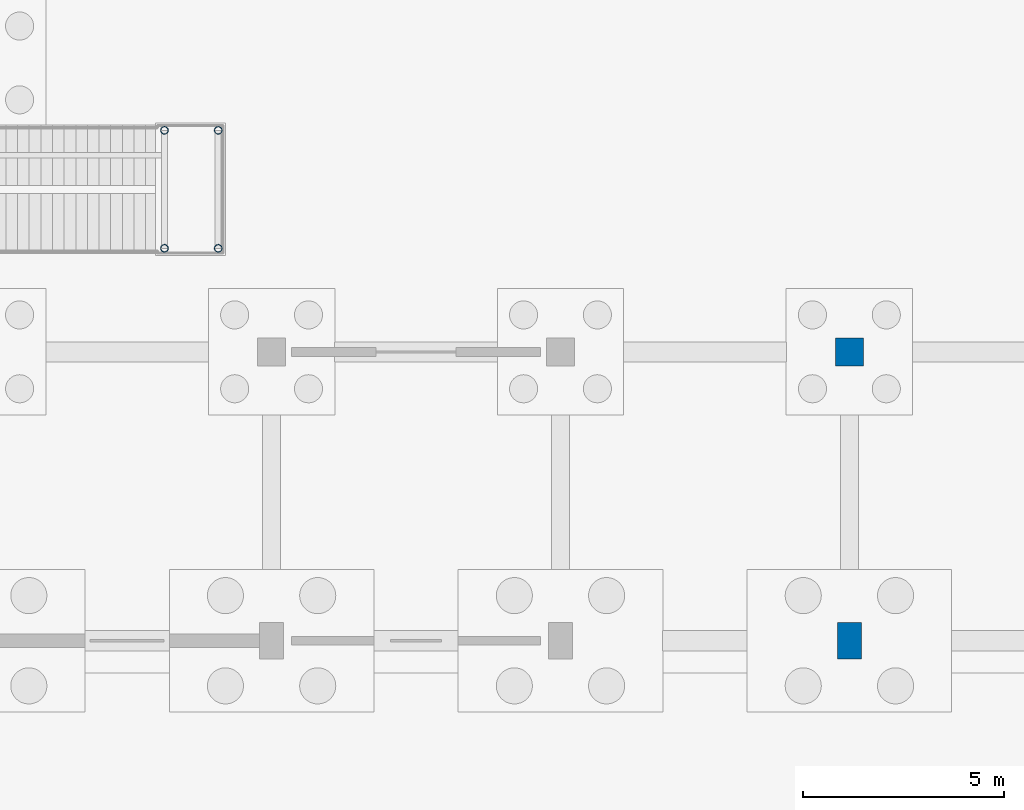
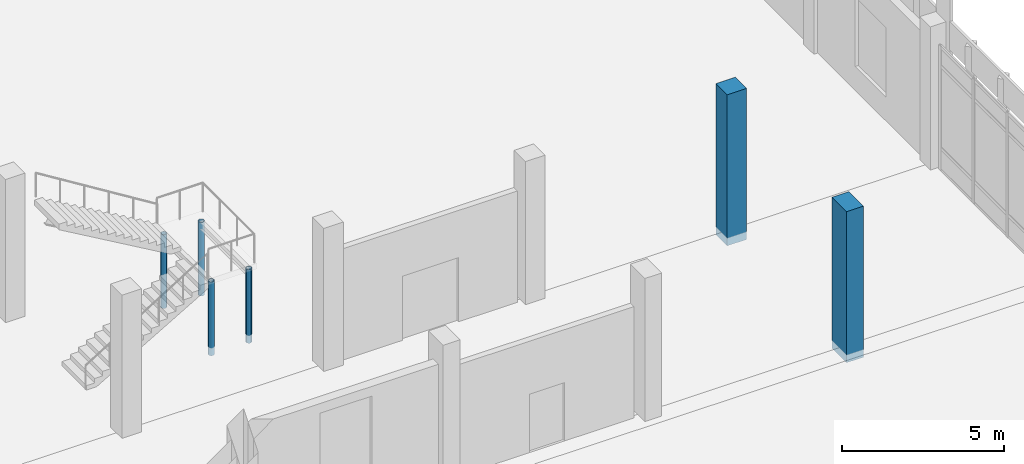
# One storey, part 24 of 109: 6 columns.
"""IFC4 building model written with IfcOpenShell, lengths in metres."""

import ifcopenshell
import ifcopenshell.guid

model = None  # the IFC model being written
_history = None  # IfcOwnerHistory: only IFC2X3 demands one
_inside = {}  # id of a spatial element -> (the spatial element, [elements in it])
_under = {}  # id of a project, library or spatial element -> (it, [spatial elements below it])
_declared = {}  # id of a project -> (the project, [libraries it declares])
_typed = {}  # id of a type object -> (the type object, [elements of that type])
_made_of = {}  # id of a material, layer set ... -> (it, [elements and type objects made of it])


def new_model(schema):
    """Start an empty IFC model of exactly this schema.

    Asked for "IFC4X3", IfcOpenShell would pick the latest addendum, in which some entities
    have other attributes; the version numbers below select the first issue.
    IFC2X3 requires an IfcOwnerHistory on every rooted entity: one is made here for all.
    """
    global model, _history
    if schema == "IFC4X3":
        model = ifcopenshell.file(schema_version=(4, 3, 0, 0))
    else:
        model = ifcopenshell.file(schema=schema)
    _inside.clear()
    _under.clear()
    _declared.clear()
    _typed.clear()
    _made_of.clear()
    _history = None
    if model.schema == "IFC2X3":
        org = make("IfcOrganization", Name="unknown")
        user = make(
            "IfcPersonAndOrganization",
            ThePerson=make("IfcPerson", FamilyName="unknown"),
            TheOrganization=org,
        )
        app = make(
            "IfcApplication",
            ApplicationDeveloper=org,
            Version="unknown",
            ApplicationFullName="unknown",
            ApplicationIdentifier="unknown",
        )
        _history = make(
            "IfcOwnerHistory",
            OwningUser=user,
            OwningApplication=app,
            ChangeAction="ADDED",
            CreationDate=0,
        )
    return model


def make(cls, **values):
    """One entity of the class cls with the attributes given. An attribute that is None is left unset."""
    return model.create_entity(
        cls, **{name: value for name, value in values.items() if value is not None}
    )


def rooted(cls, **values):
    """An entity with a GlobalId (a new one), such as an element, a storey or a relation."""
    return make(cls, GlobalId=ifcopenshell.guid.new(), OwnerHistory=_history, **values)


def si_unit(unit_type, name, prefix=None):
    """IfcSIUnit, for example si_unit("LENGTHUNIT", "METRE", prefix="MILLI")."""
    return make("IfcSIUnit", UnitType=unit_type, Prefix=prefix, Name=name)


def assignment(units):
    """IfcUnitAssignment: the units of a project."""
    return None if units is None else make("IfcUnitAssignment", Units=units)


def point(xyz):
    """IfcCartesianPoint."""
    return None if xyz is None else make("IfcCartesianPoint", Coordinates=xyz)


def direction(xyz):
    """IfcDirection."""
    return None if xyz is None else make("IfcDirection", DirectionRatios=xyz)


def frame(location, z_axis=None, x_axis=None):
    """IfcAxis2Placement3D, a coordinate frame: its origin and axes. An axis left out is left unset."""
    return make(
        "IfcAxis2Placement3D",
        Location=point(location),
        Axis=direction(z_axis),
        RefDirection=direction(x_axis),
    )


def frame_2d(location, x_axis=None):
    """IfcAxis2Placement2D, a coordinate frame in the plane: its origin and x axis."""
    return make(
        "IfcAxis2Placement2D", Location=point(location), RefDirection=direction(x_axis)
    )


def origin():
    """The frame at (0, 0, 0) with its axes left unset."""
    return frame((0.0, 0.0, 0.0))


def origin_2d():
    """The frame at (0, 0) in the plane with its x axis left unset."""
    return frame_2d((0.0, 0.0))


def place(relative_to, where):
    """IfcLocalPlacement: puts the frame where relative to a parent placement (None: the world)."""
    return make(
        "IfcLocalPlacement", PlacementRelTo=relative_to, RelativePlacement=where
    )


def context(
    kind, dimensions, precision=None, world=None, true_north=None, identifier=None
):
    """IfcGeometricRepresentationContext, for example the 3D "Model" context."""
    return make(
        "IfcGeometricRepresentationContext",
        ContextIdentifier=identifier,
        ContextType=kind,
        CoordinateSpaceDimension=dimensions,
        Precision=precision,
        WorldCoordinateSystem=world,
        TrueNorth=true_north,
    )


def subcontext(parent, identifier, kind, view, scale=None):
    """IfcGeometricRepresentationSubContext, for example "Body" below "Model"."""
    return make(
        "IfcGeometricRepresentationSubContext",
        ContextIdentifier=identifier,
        ContextType=kind,
        ParentContext=parent,
        TargetScale=scale,
        TargetView=view,
    )


def project(units=None, contexts=None):
    """IfcProject with its units and contexts."""
    return rooted(
        "IfcProject",
        Name="project",
        RepresentationContexts=contexts,
        UnitsInContext=assignment(units),
    )


def spatial(cls, under=None, at=None, **own):
    """A site, building, storey or space (cls), placed at a placement, below another one or the project."""
    s = rooted(cls, ObjectPlacement=at, **own)
    if under is not None:
        _under.setdefault(under.id(), (under, []))[1].append(s)
    return s


def profile(cls, at=None, kind="AREA", **sizes):
    """A parametric profile (cls). Its sizes go by their IFC names, for example OverallWidth=200.0."""
    return make(cls, ProfileType=kind, Position=at, **sizes)


def rectangle(**sizes):
    """IfcRectangleProfileDef."""
    return profile("IfcRectangleProfileDef", **sizes)


def hollow_circle(**sizes):
    """IfcCircleHollowProfileDef."""
    return profile("IfcCircleHollowProfileDef", **sizes)


def extrude(swept, where, along, depth):
    """IfcExtrudedAreaSolid: the profile swept, set in the frame where, extruded along a direction by depth."""
    return make(
        "IfcExtrudedAreaSolid",
        SweptArea=swept,
        Position=where,
        ExtrudedDirection=direction(along),
        Depth=depth,
    )


def shape(context_of_items, identifier, shape_type, items):
    """IfcShapeRepresentation: the items that make up one representation, for example the "Body"."""
    return make(
        "IfcShapeRepresentation",
        ContextOfItems=context_of_items,
        RepresentationIdentifier=identifier,
        RepresentationType=shape_type,
        Items=items,
    )


def material(Name=None, Category=None):
    """IfcMaterial."""
    return make("IfcMaterial", Name=Name, Category=Category)


def material_profile(
    of_material, cross_section, Name=None, Category=None, Priority=None
):
    """IfcMaterialProfile: a cross section and its material."""
    return make(
        "IfcMaterialProfile",
        Name=Name,
        Material=of_material,
        Profile=cross_section,
        Priority=Priority,
        Category=Category,
    )


def profile_set(profiles, Name=None, composite=None):
    """IfcMaterialProfileSet."""
    return make(
        "IfcMaterialProfileSet",
        Name=Name,
        MaterialProfiles=profiles,
        CompositeProfile=composite,
    )


def made_of(thing, what):
    """Note that an element or type object is made of a material, layer set ...; save() writes the relation."""
    if what is not None:
        _made_of.setdefault(what.id(), (what, []))[1].append(thing)
    return thing


def type_object(cls, material=None, **own):
    """A type object (cls), such as IfcWallType, which elements share."""
    return made_of(rooted(cls, **own), material)


def element(
    cls,
    number,
    at=None,
    inside=None,
    cuts=None,
    type_object=None,
    material=None,
    context=None,
    identifier="Body",
    shape_type=None,
    held_by="IfcProductDefinitionShape",
    body=None,
    shapes=None,
    **own,
):
    """One element of the class cls, such as IfcWall. Its Tag is "e" and its number.

    at: its placement. inside: the storey or other place that contains it. cuts: it is an
    opening in that element (IfcRelVoidsElement). A single representation is given by context,
    identifier, shape_type and body (its items); several are given by shapes. held_by: the class
    of the entity that holds the representations. save() writes the other relations.
    """
    e = rooted(cls, Tag="e%d" % number, ObjectPlacement=at, **own)
    if body is not None:
        shapes = [shape(context, identifier, shape_type, body)]
    if shapes is not None:
        e.Representation = make(held_by, Representations=shapes)
    if inside is not None:
        _inside.setdefault(inside.id(), (inside, []))[1].append(e)
    if cuts is not None:
        rooted(
            "IfcRelVoidsElement", RelatingBuildingElement=cuts, RelatedOpeningElement=e
        )
    if type_object is not None:
        _typed.setdefault(type_object.id(), (type_object, []))[1].append(e)
    return made_of(e, material)


def aggregate(whole, parts):
    """IfcRelAggregates: a whole, such as a stair, and the parts it consists of."""
    return rooted("IfcRelAggregates", RelatingObject=whole, RelatedObjects=parts)


def save(model, path):
    """Write the relations noted so far, then the file.

    IfcRelAggregates (storeys below a building ...), IfcRelContainedInSpatialStructure (elements
    in a storey), IfcRelDefinesByType, IfcRelAssociatesMaterial and IfcRelDeclares: one each for
    every whole, place, type object, material and project.
    """
    for whole, parts in _under.values():
        aggregate(whole, parts)
    for where, things in _inside.values():
        rooted(
            "IfcRelContainedInSpatialStructure",
            RelatedElements=things,
            RelatingStructure=where,
        )
    for kind, things in _typed.values():
        rooted("IfcRelDefinesByType", RelatedObjects=things, RelatingType=kind)
    for what, things in _made_of.values():
        rooted("IfcRelAssociatesMaterial", RelatedObjects=things, RelatingMaterial=what)
    for by, libraries in _declared.values():
        rooted("IfcRelDeclares", RelatingContext=by, RelatedDefinitions=libraries)
    model.write(path)


model = new_model("IFC4")

# Units and contexts
model_context = context("Model", 3, precision=1e-05, world=origin(), true_north=direction((0.0, 1.0)))
body_context = subcontext(model_context, "Body", "Model", "MODEL_VIEW")
ifc_project = project(units=[si_unit("LENGTHUNIT", "METRE"), si_unit("AREAUNIT", "SQUARE_METRE"), si_unit("VOLUMEUNIT", "CUBIC_METRE"), si_unit("PLANEANGLEUNIT", "RADIAN"), si_unit("MASSUNIT", "GRAM", prefix="KILO")], contexts=[model_context])

# Site, building, storey
site_placement = place(None, origin())
site = spatial("IfcSite", under=ifc_project, at=site_placement, CompositionType="ELEMENT")
building_placement = place(site_placement, origin())
building = spatial("IfcBuilding", under=site, at=building_placement, Name="Lusvemor Sports Hall", CompositionType="ELEMENT")
storey_placement = place(building_placement, origin())
storey = spatial("IfcBuildingStorey", under=building, at=storey_placement, Name="L00", CompositionType="ELEMENT", Elevation=0.0)

# Columns
ifc_material_1 = material(Name="Concrete C40/50", Category="concrete")
ifc_material_profile_1 = material_profile(ifc_material_1, rectangle(XDim=0.699951171875, YDim=0.699951171875, at=origin_2d()), Name="RC700x700")
ifc_profile_set_1 = profile_set([ifc_material_profile_1], Name="Concrete C40/50")
column_type_1 = type_object("IfcColumnType", Name="COL_HALL_I", PredefinedType="COLUMN", material=ifc_profile_set_1)
column_1_placement = place(storey_placement, frame((162.0, 46.800048828125, -0.300048828125), z_axis=(0.0, 0.0, 1.0), x_axis=(1.0, 0.0, 0.0)))
element("IfcColumn", 1, at=column_1_placement, inside=storey, type_object=column_type_1, Name="Column 19/F (L00)", PredefinedType="COLUMN", context=body_context, shape_type="SweptSolid", body=[
    extrude(rectangle(XDim=0.699951171875, YDim=0.699951171875, at=origin_2d()), origin(), (0.0, 0.0, 1.0), 5.699951171875),
])
ifc_material_2 = material(Name="Concrete C40/50", Category="concrete")
ifc_material_profile_2 = material_profile(ifc_material_2, rectangle(XDim=0.60009765625, YDim=0.89990234375, at=origin_2d()), Name="RC600x900")
ifc_profile_set_2 = profile_set([ifc_material_profile_2], Name="Concrete C40/50")
column_type_2 = type_object("IfcColumnType", Name="COL_STACK_E", PredefinedType="COLUMN", material=ifc_profile_set_2)
column_2_placement = place(storey_placement, frame((162.0, 39.60009765625, -0.300048828125), z_axis=(0.0, 0.0, 1.0), x_axis=(1.0, 0.0, 0.0)))
element("IfcColumn", 2, at=column_2_placement, inside=storey, type_object=column_type_2, Name="Column 19/E (L00)", PredefinedType="COLUMN", context=body_context, shape_type="SweptSolid", body=[
    extrude(rectangle(XDim=0.60009765625, YDim=0.89990234375, at=origin_2d()), origin(), (0.0, 0.0, 1.0), 5.699951171875),
])
ifc_material_3 = material(Name="Steel S355", Category="steel")
ifc_material_profile_3 = material_profile(ifc_material_3, hollow_circle(Radius=0.096923828125, WallThickness=0.010009765625, at=origin_2d()), Name="CHS193.7x10.0")
ifc_profile_set_3 = profile_set([ifc_material_profile_3], Name="Steel S355")
column_type_3 = type_object("IfcColumnType", Name="COL_STAIR_POST", PredefinedType="COLUMN", material=ifc_profile_set_3)
for number, where, z_axis, x_axis, name in (
    (3, (144.929931640625, 49.3798828125, -0.300048828125), (0.0, 0.0, 1.0), (1.0, 0.0, 0.0), "Feature Stair STR-CLIMB-GAL Post 1"),
    (4, (146.27001953125, 49.3798828125, -0.300048828125), (0.0, 0.0, 1.0), (1.0, 0.0, 0.0), "Feature Stair STR-CLIMB-GAL Post 2"),
    (5, (144.929931640625, 52.320068359375, -0.300048828125), (0.0, 0.0, 1.0), (1.0, 0.0, 0.0), "Feature Stair STR-CLIMB-GAL Post 3"),
    (6, (146.27001953125, 52.320068359375, -0.300048828125), (0.0, 0.0, 1.0), (1.0, 0.0, 0.0), "Feature Stair STR-CLIMB-GAL Post 4"),
):
    element("IfcColumn", number, at=place(storey_placement, frame(where, z_axis=z_axis, x_axis=x_axis)), inside=storey, type_object=column_type_3, Name=name, PredefinedType="COLUMN", context=body_context, shape_type="SweptSolid", body=[
        extrude(hollow_circle(Radius=0.096923828125, WallThickness=0.010009765625, at=origin_2d()), origin(), (0.0, 0.0, 1.0), 2.781982421875),
    ])

save(model, "model.ifc")
